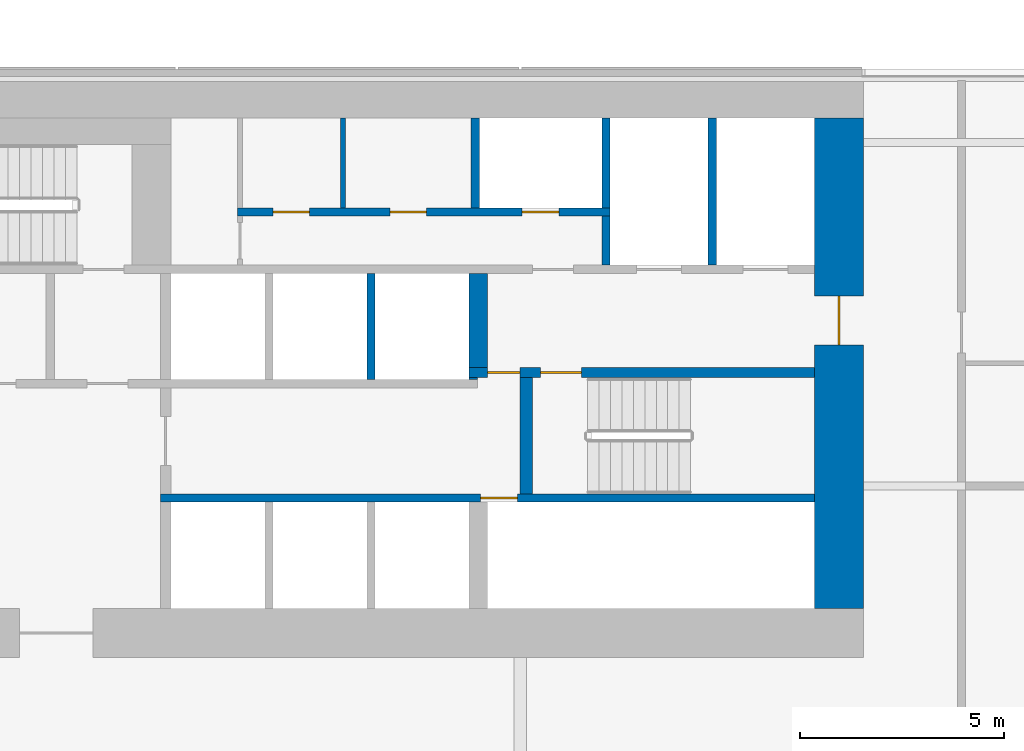
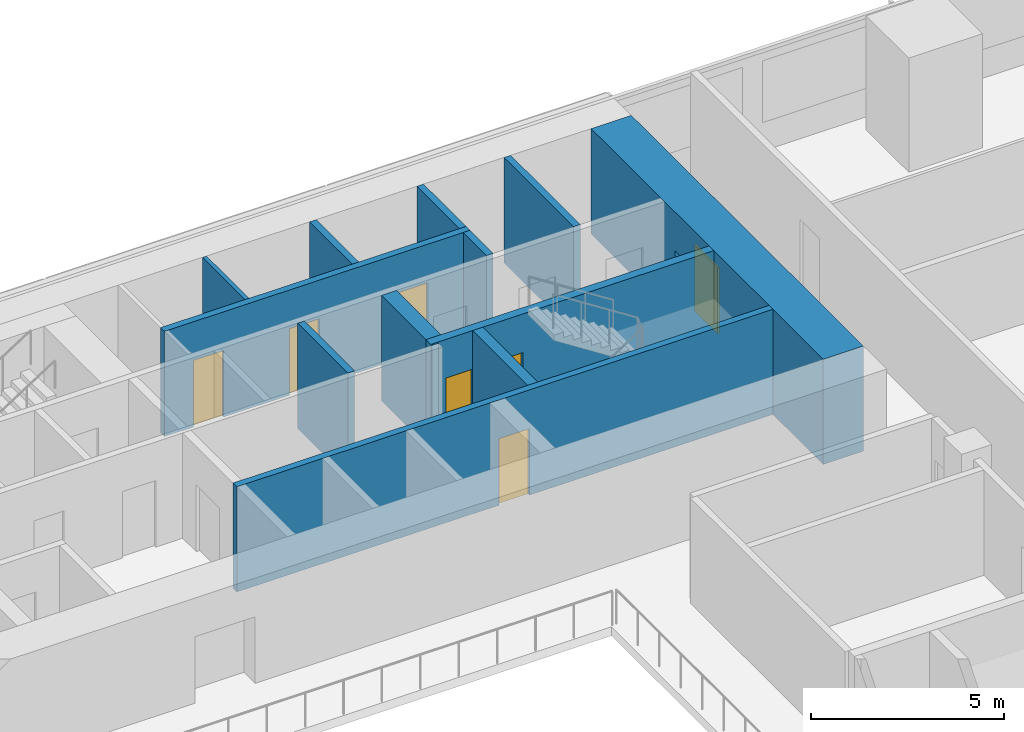
# One storey, part 22 of 27: 13 walls, 7 doors, 7 openings.
"""IFC4 building model written with IfcOpenShell, lengths in metres."""

import ifcopenshell
import ifcopenshell.guid

model = None  # the IFC model being written
_history = None  # IfcOwnerHistory: only IFC2X3 demands one
_inside = {}  # id of a spatial element -> (the spatial element, [elements in it])
_under = {}  # id of a project, library or spatial element -> (it, [spatial elements below it])
_declared = {}  # id of a project -> (the project, [libraries it declares])
_typed = {}  # id of a type object -> (the type object, [elements of that type])
_made_of = {}  # id of a material, layer set ... -> (it, [elements and type objects made of it])


def new_model(schema):
    """Start an empty IFC model of exactly this schema.

    Asked for "IFC4X3", IfcOpenShell would pick the latest addendum, in which some entities
    have other attributes; the version numbers below select the first issue.
    IFC2X3 requires an IfcOwnerHistory on every rooted entity: one is made here for all.
    """
    global model, _history
    if schema == "IFC4X3":
        model = ifcopenshell.file(schema_version=(4, 3, 0, 0))
    else:
        model = ifcopenshell.file(schema=schema)
    _inside.clear()
    _under.clear()
    _declared.clear()
    _typed.clear()
    _made_of.clear()
    _history = None
    if model.schema == "IFC2X3":
        org = make("IfcOrganization", Name="unknown")
        user = make(
            "IfcPersonAndOrganization",
            ThePerson=make("IfcPerson", FamilyName="unknown"),
            TheOrganization=org,
        )
        app = make(
            "IfcApplication",
            ApplicationDeveloper=org,
            Version="unknown",
            ApplicationFullName="unknown",
            ApplicationIdentifier="unknown",
        )
        _history = make(
            "IfcOwnerHistory",
            OwningUser=user,
            OwningApplication=app,
            ChangeAction="ADDED",
            CreationDate=0,
        )
    return model


def make(cls, **values):
    """One entity of the class cls with the attributes given. An attribute that is None is left unset."""
    return model.create_entity(
        cls, **{name: value for name, value in values.items() if value is not None}
    )


def rooted(cls, **values):
    """An entity with a GlobalId (a new one), such as an element, a storey or a relation."""
    return make(cls, GlobalId=ifcopenshell.guid.new(), OwnerHistory=_history, **values)


def si_unit(unit_type, name, prefix=None):
    """IfcSIUnit, for example si_unit("LENGTHUNIT", "METRE", prefix="MILLI")."""
    return make("IfcSIUnit", UnitType=unit_type, Prefix=prefix, Name=name)


def assignment(units):
    """IfcUnitAssignment: the units of a project."""
    return None if units is None else make("IfcUnitAssignment", Units=units)


def point(xyz):
    """IfcCartesianPoint."""
    return None if xyz is None else make("IfcCartesianPoint", Coordinates=xyz)


def direction(xyz):
    """IfcDirection."""
    return None if xyz is None else make("IfcDirection", DirectionRatios=xyz)


def frame(location, z_axis=None, x_axis=None):
    """IfcAxis2Placement3D, a coordinate frame: its origin and axes. An axis left out is left unset."""
    return make(
        "IfcAxis2Placement3D",
        Location=point(location),
        Axis=direction(z_axis),
        RefDirection=direction(x_axis),
    )


def frame_2d(location, x_axis=None):
    """IfcAxis2Placement2D, a coordinate frame in the plane: its origin and x axis."""
    return make(
        "IfcAxis2Placement2D", Location=point(location), RefDirection=direction(x_axis)
    )


def origin():
    """The frame at (0, 0, 0) with its axes left unset."""
    return frame((0.0, 0.0, 0.0))


def place(relative_to, where):
    """IfcLocalPlacement: puts the frame where relative to a parent placement (None: the world)."""
    return make(
        "IfcLocalPlacement", PlacementRelTo=relative_to, RelativePlacement=where
    )


def context(
    kind, dimensions, precision=None, world=None, true_north=None, identifier=None
):
    """IfcGeometricRepresentationContext, for example the 3D "Model" context."""
    return make(
        "IfcGeometricRepresentationContext",
        ContextIdentifier=identifier,
        ContextType=kind,
        CoordinateSpaceDimension=dimensions,
        Precision=precision,
        WorldCoordinateSystem=world,
        TrueNorth=true_north,
    )


def subcontext(parent, identifier, kind, view, scale=None):
    """IfcGeometricRepresentationSubContext, for example "Body" below "Model"."""
    return make(
        "IfcGeometricRepresentationSubContext",
        ContextIdentifier=identifier,
        ContextType=kind,
        ParentContext=parent,
        TargetScale=scale,
        TargetView=view,
    )


def project(units=None, contexts=None):
    """IfcProject with its units and contexts."""
    return rooted(
        "IfcProject",
        Name="project",
        RepresentationContexts=contexts,
        UnitsInContext=assignment(units),
    )


def spatial(cls, under=None, at=None, **own):
    """A site, building, storey or space (cls), placed at a placement, below another one or the project."""
    s = rooted(cls, ObjectPlacement=at, **own)
    if under is not None:
        _under.setdefault(under.id(), (under, []))[1].append(s)
    return s


def profile(cls, at=None, kind="AREA", **sizes):
    """A parametric profile (cls). Its sizes go by their IFC names, for example OverallWidth=200.0."""
    return make(cls, ProfileType=kind, Position=at, **sizes)


def rectangle(**sizes):
    """IfcRectangleProfileDef."""
    return profile("IfcRectangleProfileDef", **sizes)


def extrude(swept, where, along, depth):
    """IfcExtrudedAreaSolid: the profile swept, set in the frame where, extruded along a direction by depth."""
    return make(
        "IfcExtrudedAreaSolid",
        SweptArea=swept,
        Position=where,
        ExtrudedDirection=direction(along),
        Depth=depth,
    )


def shape(context_of_items, identifier, shape_type, items):
    """IfcShapeRepresentation: the items that make up one representation, for example the "Body"."""
    return make(
        "IfcShapeRepresentation",
        ContextOfItems=context_of_items,
        RepresentationIdentifier=identifier,
        RepresentationType=shape_type,
        Items=items,
    )


def material(Name=None, Category=None):
    """IfcMaterial."""
    return make("IfcMaterial", Name=Name, Category=Category)


def layer(
    of_material, thickness, ventilated=None, Name=None, Category=None, Priority=None
):
    """IfcMaterialLayer: one layer of a wall or slab, of a material (None: an air gap)."""
    return make(
        "IfcMaterialLayer",
        Material=of_material,
        LayerThickness=thickness,
        IsVentilated=ventilated,
        Name=Name,
        Category=Category,
        Priority=Priority,
    )


def layer_set(layers, Name=None):
    """IfcMaterialLayerSet."""
    return make("IfcMaterialLayerSet", MaterialLayers=layers, LayerSetName=Name)


def made_of(thing, what):
    """Note that an element or type object is made of a material, layer set ...; save() writes the relation."""
    if what is not None:
        _made_of.setdefault(what.id(), (what, []))[1].append(thing)
    return thing


def type_object(cls, material=None, **own):
    """A type object (cls), such as IfcWallType, which elements share."""
    return made_of(rooted(cls, **own), material)


def element(
    cls,
    number,
    at=None,
    inside=None,
    cuts=None,
    type_object=None,
    material=None,
    context=None,
    identifier="Body",
    shape_type=None,
    held_by="IfcProductDefinitionShape",
    body=None,
    shapes=None,
    **own,
):
    """One element of the class cls, such as IfcWall. Its Tag is "e" and its number.

    at: its placement. inside: the storey or other place that contains it. cuts: it is an
    opening in that element (IfcRelVoidsElement). A single representation is given by context,
    identifier, shape_type and body (its items); several are given by shapes. held_by: the class
    of the entity that holds the representations. save() writes the other relations.
    """
    e = rooted(cls, Tag="e%d" % number, ObjectPlacement=at, **own)
    if body is not None:
        shapes = [shape(context, identifier, shape_type, body)]
    if shapes is not None:
        e.Representation = make(held_by, Representations=shapes)
    if inside is not None:
        _inside.setdefault(inside.id(), (inside, []))[1].append(e)
    if cuts is not None:
        rooted(
            "IfcRelVoidsElement", RelatingBuildingElement=cuts, RelatedOpeningElement=e
        )
    if type_object is not None:
        _typed.setdefault(type_object.id(), (type_object, []))[1].append(e)
    return made_of(e, material)


def fill(opening, filler):
    """IfcRelFillsElement: the door or window that sits in an opening."""
    return rooted(
        "IfcRelFillsElement",
        RelatingOpeningElement=opening,
        RelatedBuildingElement=filler,
    )


def aggregate(whole, parts):
    """IfcRelAggregates: a whole, such as a stair, and the parts it consists of."""
    return rooted("IfcRelAggregates", RelatingObject=whole, RelatedObjects=parts)


def save(model, path):
    """Write the relations noted so far, then the file.

    IfcRelAggregates (storeys below a building ...), IfcRelContainedInSpatialStructure (elements
    in a storey), IfcRelDefinesByType, IfcRelAssociatesMaterial and IfcRelDeclares: one each for
    every whole, place, type object, material and project.
    """
    for whole, parts in _under.values():
        aggregate(whole, parts)
    for where, things in _inside.values():
        rooted(
            "IfcRelContainedInSpatialStructure",
            RelatedElements=things,
            RelatingStructure=where,
        )
    for kind, things in _typed.values():
        rooted("IfcRelDefinesByType", RelatedObjects=things, RelatingType=kind)
    for what, things in _made_of.values():
        rooted("IfcRelAssociatesMaterial", RelatedObjects=things, RelatingMaterial=what)
    for by, libraries in _declared.values():
        rooted("IfcRelDeclares", RelatingContext=by, RelatedDefinitions=libraries)
    model.write(path)


model = new_model("IFC4")

# Units and contexts
model_context = context("Model", 3, precision=1e-05, world=origin(), true_north=direction((0.0, 1.0)))
body_context = subcontext(model_context, "Body", "Model", "MODEL_VIEW")
ifc_project = project(units=[si_unit("LENGTHUNIT", "METRE"), si_unit("AREAUNIT", "SQUARE_METRE"), si_unit("VOLUMEUNIT", "CUBIC_METRE"), si_unit("PLANEANGLEUNIT", "RADIAN"), si_unit("MASSUNIT", "GRAM", prefix="KILO")], contexts=[model_context])

# Site, building, storey
site_placement = place(None, origin())
site = spatial("IfcSite", under=ifc_project, at=site_placement, CompositionType="ELEMENT")
building_placement = place(site_placement, origin())
building = spatial("IfcBuilding", under=site, at=building_placement, Name="Saffron Gate Tower", CompositionType="ELEMENT")
storey_placement = place(building_placement, frame((0.0, 0.0, 44.39990234375)))
storey = spatial("IfcBuildingStorey", under=building, at=storey_placement, Name="L09", CompositionType="ELEMENT", Elevation=44.39990234375)

# Wall, opening, door
ifc_material_1 = material(Name="Concrete C70", Category="concrete")
ifc_layer_1 = layer(ifc_material_1, 1.199951171875)
ifc_layer_set_1 = layer_set([ifc_layer_1], Name="CW1 RC core wall 1200 C70")
wall_type_1 = type_object("IfcWallType", Name="CW1 RC core wall 1200 C70", PredefinedType="SOLIDWALL", material=ifc_layer_set_1)
wall_1_placement = place(storey_placement, frame((108.0, 62.39990234375, 0.0), z_axis=(0.0, 0.0, 1.0), x_axis=(0.0, 1.0, 0.0)))
wall_1 = element("IfcWall", 1, at=wall_1_placement, inside=storey, type_object=wall_type_1, Name="Wall CW1-L09-4", PredefinedType="SOLIDWALL", context=body_context, shape_type="SweptSolid", body=[
    extrude(rectangle(XDim=12.0, YDim=1.199951171875, at=frame_2d((6.0, 0.0))), origin(), (0.0, 0.0, 1.0), 3.320068359375),
])
opening_1_placement = place(wall_1_placement, frame((6.449951171875, 0.0, 0.0)))
opening_1 = element("IfcOpeningElement", 2, at=opening_1_placement, cuts=wall_1, Name="Opening CR-08", PredefinedType="OPENING", context=body_context, shape_type="SweptSolid", body=[
    extrude(rectangle(XDim=1.199951171875, YDim=2.10009765625, at=frame_2d((0.60009765625, 1.050048828125))), frame((0.0, 0.60986328125, 0.0), z_axis=(0.0, -1.0, 0.0), x_axis=(1.0, 0.0, 0.0)), (0.0, 0.0, 1.0), 1.219970703125),
])
ifc_material_2 = material(Name="Steel fire door set", Category="steel")
door_type_1 = type_object("IfcDoorType", Name="CD7 Core entrance door 1200x2100 EI 120", OperationType="NOTDEFINED", PredefinedType="DOOR", material=ifc_material_2)
door_1_placement = place(opening_1_placement, origin())
door_1 = element("IfcDoor", 3, at=door_1_placement, inside=storey, type_object=door_type_1, Name="DOOR CR-08", OperationType="SINGLE_SWING_RIGHT", OverallHeight=2.10009765625, OverallWidth=1.199951171875, PredefinedType="DOOR", context=body_context, shape_type="SweptSolid", body=[
    extrude(rectangle(XDim=1.199951171875, YDim=2.10009765625, at=frame_2d((0.60009765625, 1.050048828125))), frame((0.0, 0.02490234375, 0.0), z_axis=(0.0, -1.0, 0.0), x_axis=(1.0, 0.0, 0.0)), (0.0, 0.0, 1.0), 0.050048828125),
])
fill(opening_1, door_1)

# Wall, openings, doors
ifc_layer_2 = layer(ifc_material_1, 0.25)
ifc_layer_set_2 = layer_set([ifc_layer_2], Name="CW2 RC core wall 250 C70")
wall_type_2 = type_object("IfcWallType", Name="CW2 RC core wall 250 C70", PredefinedType="SOLIDWALL", material=ifc_layer_set_2)
wall_2_placement = place(storey_placement, frame((98.949951171875, 68.175048828125, 0.0), z_axis=(0.0, 0.0, 1.0), x_axis=(1.0, 0.0, 0.0)))
wall_2 = element("IfcWall", 4, at=wall_2_placement, inside=storey, type_object=wall_type_2, Name="Wall CW2-L09-31", PredefinedType="SOLIDWALL", context=body_context, shape_type="SweptSolid", body=[
    extrude(rectangle(XDim=8.449951171875, YDim=0.25, at=frame_2d((4.22509765625, 0.0))), origin(), (0.0, 0.0, 1.0), 3.320068359375),
])
opening_2_placement = place(wall_2_placement, frame((0.449951171875, 0.0, 0.0)))
opening_2 = element("IfcOpeningElement", 5, at=opening_2_placement, cuts=wall_2, Name="Opening CR-05", PredefinedType="OPENING", context=body_context, shape_type="SweptSolid", body=[
    extrude(rectangle(XDim=0.800048828125, YDim=2.10009765625, at=frame_2d((0.39990234375, 1.050048828125))), frame((0.0, 0.135009765625, 0.0), z_axis=(0.0, -1.0, 0.0), x_axis=(1.0, 0.0, 0.0)), (0.0, 0.0, 1.0), 0.27001953125),
])
opening_3_placement = place(wall_2_placement, frame((1.75, 0.0, 0.0)))
opening_3 = element("IfcOpeningElement", 6, at=opening_3_placement, cuts=wall_2, Name="Opening CR-16", PredefinedType="OPENING", context=body_context, shape_type="SweptSolid", body=[
    extrude(rectangle(XDim=1.0, YDim=2.10009765625, at=frame_2d((0.5, 1.050048828125))), frame((0.0, 0.135009765625, 0.0), z_axis=(0.0, -1.0, 0.0), x_axis=(1.0, 0.0, 0.0)), (0.0, 0.0, 1.0), 0.27001953125),
])
door_type_2 = type_object("IfcDoorType", Name="CD5 Stair door 1000x2100 EI 120", OperationType="NOTDEFINED", PredefinedType="DOOR", material=ifc_material_2)
door_2_placement = place(opening_3_placement, origin())
door_2 = element("IfcDoor", 7, at=door_2_placement, inside=storey, type_object=door_type_2, Name="DOOR CR-16", OperationType="SINGLE_SWING_RIGHT", OverallHeight=2.10009765625, OverallWidth=1.0, PredefinedType="DOOR", context=body_context, shape_type="SweptSolid", body=[
    extrude(rectangle(XDim=1.0, YDim=2.10009765625, at=frame_2d((0.5, 1.050048828125))), frame((0.0, 0.02490234375, 0.0), z_axis=(0.0, -1.0, 0.0), x_axis=(1.0, 0.0, 0.0)), (0.0, 0.0, 1.0), 0.050048828125),
])
fill(opening_3, door_2)
door_type_3 = type_object("IfcDoorType", Name="CD6 Lobby door 800x2100 EI 120", OperationType="NOTDEFINED", PredefinedType="DOOR", material=ifc_material_2)
door_3_placement = place(opening_2_placement, origin())
door_3 = element("IfcDoor", 8, at=door_3_placement, inside=storey, type_object=door_type_3, Name="DOOR CR-05", OperationType="SINGLE_SWING_LEFT", OverallHeight=2.10009765625, OverallWidth=0.800048828125, PredefinedType="DOOR", context=body_context, shape_type="SweptSolid", body=[
    extrude(rectangle(XDim=0.800048828125, YDim=2.10009765625, at=frame_2d((0.39990234375, 1.050048828125))), frame((0.0, 0.02490234375, 0.0), z_axis=(0.0, -1.0, 0.0), x_axis=(1.0, 0.0, 0.0)), (0.0, 0.0, 1.0), 0.050048828125),
])
fill(opening_2, door_3)

# Wall, opening, door
ifc_layer_3 = layer(ifc_material_1, 0.199951171875)
ifc_layer_set_3 = layer_set([ifc_layer_3], Name="CW3 RC core wall 200 C70")
wall_type_3 = type_object("IfcWallType", Name="CW3 RC core wall 200 C70", PredefinedType="SOLIDWALL", material=ifc_layer_set_3)
wall_3_placement = place(storey_placement, frame((91.39990234375, 65.10009765625, 0.0), z_axis=(0.0, 0.0, 1.0), x_axis=(1.0, 0.0, 0.0)))
wall_3 = element("IfcWall", 9, at=wall_3_placement, inside=storey, type_object=wall_type_3, Name="Wall CW3-L09-15", PredefinedType="SOLIDWALL", context=body_context, shape_type="SweptSolid", body=[
    extrude(rectangle(XDim=16.0, YDim=0.199951171875, at=frame_2d((8.0, 0.0))), origin(), (0.0, 0.0, 1.0), 3.320068359375),
])
opening_4_placement = place(wall_3_placement, frame((7.830078125, 0.0, 0.0)))
opening_4 = element("IfcOpeningElement", 10, at=opening_4_placement, cuts=wall_3, Name="Opening CR-48", PredefinedType="OPENING", context=body_context, shape_type="SweptSolid", body=[
    extrude(rectangle(XDim=0.89990234375, YDim=2.10009765625, at=frame_2d((0.449951171875, 1.050048828125))), frame((0.0, 0.10986328125, 0.0), z_axis=(0.0, -1.0, 0.0), x_axis=(1.0, 0.0, 0.0)), (0.0, 0.0, 1.0), 0.219970703125),
])
door_type_4 = type_object("IfcDoorType", Name="CD2 Riser door 900x2100 EI 60", OperationType="NOTDEFINED", PredefinedType="DOOR", material=ifc_material_2)
door_4_placement = place(opening_4_placement, origin())
door_4 = element("IfcDoor", 11, at=door_4_placement, inside=storey, type_object=door_type_4, Name="DOOR CR-48", OperationType="SINGLE_SWING_RIGHT", OverallHeight=2.10009765625, OverallWidth=0.89990234375, PredefinedType="DOOR", context=body_context, shape_type="SweptSolid", body=[
    extrude(rectangle(XDim=0.89990234375, YDim=2.10009765625, at=frame_2d((0.449951171875, 1.050048828125))), frame((0.0, 0.02490234375, 0.0), z_axis=(0.0, -1.0, 0.0), x_axis=(1.0, 0.0, 0.0)), (0.0, 0.0, 1.0), 0.050048828125),
])
fill(opening_4, door_4)

# Walls
wall_4_placement = place(storey_placement, frame((96.550048828125, 68.0, 0.0), z_axis=(0.0, 0.0, 1.0), x_axis=(0.0, 1.0, 0.0)))
element("IfcWall", 12, at=wall_4_placement, inside=storey, type_object=wall_type_3, Name="Wall CW3-L09-28", PredefinedType="SOLIDWALL", context=body_context, shape_type="SweptSolid", body=[
    extrude(rectangle(XDim=2.60009765625, YDim=0.199951171875, at=frame_2d((1.300048828125, 0.0))), origin(), (0.0, 0.0, 1.0), 3.320068359375),
])
wall_5_placement = place(storey_placement, frame((102.300048828125, 70.800048828125, 0.0), z_axis=(0.0, 0.0, 1.0), x_axis=(0.0, 1.0, 0.0)))
element("IfcWall", 13, at=wall_5_placement, inside=storey, type_object=wall_type_3, Name="Wall CW3-L09-41", PredefinedType="SOLIDWALL", context=body_context, shape_type="SweptSolid", body=[
    extrude(rectangle(XDim=1.199951171875, YDim=0.199951171875, at=frame_2d((0.60009765625, 0.0))), origin(), (0.0, 0.0, 1.0), 3.320068359375),
])
wall_6_placement = place(storey_placement, frame((104.89990234375, 70.800048828125, 0.0), z_axis=(0.0, 0.0, 1.0), x_axis=(0.0, 1.0, 0.0)))
element("IfcWall", 14, at=wall_6_placement, inside=storey, type_object=wall_type_3, Name="Wall CW3-L09-42", PredefinedType="SOLIDWALL", context=body_context, shape_type="SweptSolid", body=[
    extrude(rectangle(XDim=3.599853515625, YDim=0.199951171875, at=frame_2d((1.7998046875, 0.0))), origin(), (0.0, 0.0, 1.0), 3.320068359375),
])

# Wall, openings, doors
wall_7_placement = place(storey_placement, frame((93.280029296875, 72.10009765625, 0.0), z_axis=(0.0, 0.0, 1.0), x_axis=(1.0, 0.0, 0.0)))
wall_7 = element("IfcWall", 15, at=wall_7_placement, inside=storey, type_object=wall_type_3, Name="Wall CW3-L09-44", PredefinedType="SOLIDWALL", context=body_context, shape_type="SweptSolid", body=[
    extrude(rectangle(XDim=9.119873046875, YDim=0.199951171875, at=frame_2d((4.56005859375, 0.0))), origin(), (0.0, 0.0, 1.0), 3.320068359375),
])
opening_5_placement = place(wall_7_placement, frame((0.8701171875, 0.0, 0.0)))
opening_5 = element("IfcOpeningElement", 16, at=opening_5_placement, cuts=wall_7, Name="Opening CR-50", PredefinedType="OPENING", context=body_context, shape_type="SweptSolid", body=[
    extrude(rectangle(XDim=0.89990234375, YDim=2.10009765625, at=frame_2d((0.449951171875, 1.050048828125))), frame((0.0, 0.10986328125, 0.0), z_axis=(0.0, -1.0, 0.0), x_axis=(1.0, 0.0, 0.0)), (0.0, 0.0, 1.0), 0.219970703125),
])
opening_6_placement = place(wall_7_placement, frame((3.72998046875, 0.0, 0.0)))
opening_6 = element("IfcOpeningElement", 17, at=opening_6_placement, cuts=wall_7, Name="Opening CR-53", PredefinedType="OPENING", context=body_context, shape_type="SweptSolid", body=[
    extrude(rectangle(XDim=0.89990234375, YDim=2.10009765625, at=frame_2d((0.449951171875, 1.050048828125))), frame((0.0, 0.10986328125, 0.0), z_axis=(0.0, -1.0, 0.0), x_axis=(1.0, 0.0, 0.0)), (0.0, 0.0, 1.0), 0.219970703125),
])
opening_7_placement = place(wall_7_placement, frame((6.969970703125, 0.0, 0.0)))
opening_7 = element("IfcOpeningElement", 18, at=opening_7_placement, cuts=wall_7, Name="Opening CR-70", PredefinedType="OPENING", context=body_context, shape_type="SweptSolid", body=[
    extrude(rectangle(XDim=0.89990234375, YDim=2.10009765625, at=frame_2d((0.449951171875, 1.050048828125))), frame((0.0, 0.10986328125, 0.0), z_axis=(0.0, -1.0, 0.0), x_axis=(1.0, 0.0, 0.0)), (0.0, 0.0, 1.0), 0.219970703125),
])
door_5_placement = place(opening_7_placement, origin())
door_5 = element("IfcDoor", 19, at=door_5_placement, inside=storey, type_object=door_type_4, Name="DOOR CR-70", OperationType="SINGLE_SWING_LEFT", OverallHeight=2.10009765625, OverallWidth=0.89990234375, PredefinedType="DOOR", context=body_context, shape_type="SweptSolid", body=[
    extrude(rectangle(XDim=0.89990234375, YDim=2.10009765625, at=frame_2d((0.449951171875, 1.050048828125))), frame((0.0, 0.02490234375, 0.0), z_axis=(0.0, -1.0, 0.0), x_axis=(1.0, 0.0, 0.0)), (0.0, 0.0, 1.0), 0.050048828125),
])
fill(opening_7, door_5)
door_type_5 = type_object("IfcDoorType", Name="CD9 Room door 900x2100 EI 60", OperationType="NOTDEFINED", PredefinedType="DOOR", material=ifc_material_2)
door_6_placement = place(opening_5_placement, origin())
door_6 = element("IfcDoor", 20, at=door_6_placement, inside=storey, type_object=door_type_5, Name="DOOR CR-50", OperationType="SINGLE_SWING_LEFT", OverallHeight=2.10009765625, OverallWidth=0.89990234375, PredefinedType="DOOR", context=body_context, shape_type="SweptSolid", body=[
    extrude(rectangle(XDim=0.89990234375, YDim=2.10009765625, at=frame_2d((0.449951171875, 1.050048828125))), frame((0.0, 0.02490234375, 0.0), z_axis=(0.0, -1.0, 0.0), x_axis=(1.0, 0.0, 0.0)), (0.0, 0.0, 1.0), 0.050048828125),
])
fill(opening_5, door_6)
door_7_placement = place(opening_6_placement, origin())
door_7 = element("IfcDoor", 21, at=door_7_placement, inside=storey, type_object=door_type_5, Name="DOOR CR-53", OperationType="SINGLE_SWING_LEFT", OverallHeight=2.10009765625, OverallWidth=0.89990234375, PredefinedType="DOOR", context=body_context, shape_type="SweptSolid", body=[
    extrude(rectangle(XDim=0.89990234375, YDim=2.10009765625, at=frame_2d((0.449951171875, 1.050048828125))), frame((0.0, 0.02490234375, 0.0), z_axis=(0.0, -1.0, 0.0), x_axis=(1.0, 0.0, 0.0)), (0.0, 0.0, 1.0), 0.050048828125),
])
fill(opening_6, door_7)

# Walls
for number, where, z_axis, x_axis, name in (
    (22, (99.10009765625, 72.199951171875, 0.0), (0.0, 0.0, 1.0), (0.0, 1.0, 0.0), "Wall CW3-L09-51"),
    (23, (102.300048828125, 72.199951171875, 0.0), (0.0, 0.0, 1.0), (0.0, 1.0, 0.0), "Wall CW3-L09-52"),
):
    element("IfcWall", number, at=place(storey_placement, frame(where, z_axis=z_axis, x_axis=x_axis)), inside=storey, type_object=wall_type_3, Name=name, PredefinedType="SOLIDWALL", context=body_context, shape_type="SweptSolid", body=[
        extrude(rectangle(XDim=2.199951171875, YDim=0.199951171875, at=frame_2d((1.10009765625, 0.0))), origin(), (0.0, 0.0, 1.0), 3.320068359375),
    ])
ifc_layer_4 = layer(ifc_material_1, 0.449951171875)
ifc_layer_set_4 = layer_set([ifc_layer_4], Name="CW4 RC core wall 450 C70")
wall_type_4 = type_object("IfcWallType", Name="CW4 RC core wall 450 C70", PredefinedType="SOLIDWALL", material=ifc_layer_set_4)
wall_8_placement = place(storey_placement, frame((99.175048828125, 68.300048828125, 0.0), z_axis=(0.0, 0.0, 1.0), x_axis=(0.0, 1.0, 0.0)))
element("IfcWall", 24, at=wall_8_placement, inside=storey, type_object=wall_type_4, Name="Wall CW4-L09-33", PredefinedType="SOLIDWALL", context=body_context, shape_type="SweptSolid", body=[
    extrude(rectangle(XDim=2.300048828125, YDim=0.449951171875, at=frame_2d((1.14990234375, 0.0))), origin(), (0.0, 0.0, 1.0), 3.320068359375),
])
ifc_layer_5 = layer(ifc_material_1, 0.300048828125)
ifc_layer_set_5 = layer_set([ifc_layer_5], Name="CW5 RC core wall 300 C70")
wall_type_5 = type_object("IfcWallType", Name="CW5 RC core wall 300 C70", PredefinedType="SOLIDWALL", material=ifc_layer_set_5)
wall_9_placement = place(storey_placement, frame((100.35009765625, 65.199951171875, 0.0), z_axis=(0.0, 0.0, 1.0), x_axis=(0.0, 1.0, 0.0)))
element("IfcWall", 25, at=wall_9_placement, inside=storey, type_object=wall_type_5, Name="Wall CW5-L09-19", PredefinedType="SOLIDWALL", context=body_context, shape_type="SweptSolid", body=[
    extrude(rectangle(XDim=2.85009765625, YDim=0.300048828125, at=frame_2d((1.425048828125, 0.0))), origin(), (0.0, 0.0, 1.0), 3.320068359375),
])
ifc_layer_6 = layer(ifc_material_1, 0.050048828125)
ifc_layer_set_6 = layer_set([ifc_layer_6], Name="CW6 RC core wall 50 C70")
wall_type_6 = type_object("IfcWallType", Name="CW6 RC core wall 50 C70", PredefinedType="SOLIDWALL", material=ifc_layer_set_6)
wall_10_placement = place(storey_placement, frame((98.949951171875, 68.02490234375, 0.0), z_axis=(0.0, 0.0, 1.0), x_axis=(1.0, 0.0, 0.0)))
element("IfcWall", 26, at=wall_10_placement, inside=storey, type_object=wall_type_6, Name="Wall CW6-L09-29", PredefinedType="SOLIDWALL", context=body_context, shape_type="SweptSolid", body=[
    extrude(rectangle(XDim=0.199951171875, YDim=0.050048828125, at=frame_2d((0.10009765625, 0.0))), origin(), (0.0, 0.0, 1.0), 3.320068359375),
])
ifc_material_3 = material(Name="Gypsum board partition on steel studs", Category="steel")
ifc_layer_7 = layer(ifc_material_3, 0.1201171875)
ifc_layer_set_7 = layer_set([ifc_layer_7], Name="CW8 Core partition 120")
wall_type_7 = type_object("IfcWallType", Name="CW8 Core partition 120", PredefinedType="PARTITIONING", material=ifc_layer_set_7)
wall_11_placement = place(storey_placement, frame((95.860107421875, 72.199951171875, 0.0), z_axis=(0.0, 0.0, 1.0), x_axis=(0.0, 1.0, 0.0)))
element("IfcWall", 27, at=wall_11_placement, inside=storey, type_object=wall_type_7, Name="Wall CW8-L09-50", PredefinedType="PARTITIONING", context=body_context, shape_type="SweptSolid", body=[
    extrude(rectangle(XDim=2.199951171875, YDim=0.1201171875, at=frame_2d((1.10009765625, 0.0))), origin(), (0.0, 0.0, 1.0), 3.320068359375),
])

save(model, "model.ifc")
